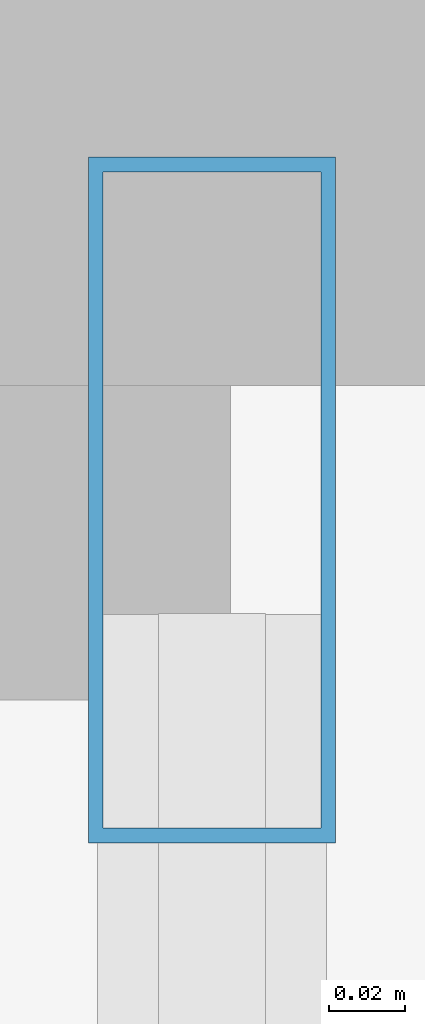
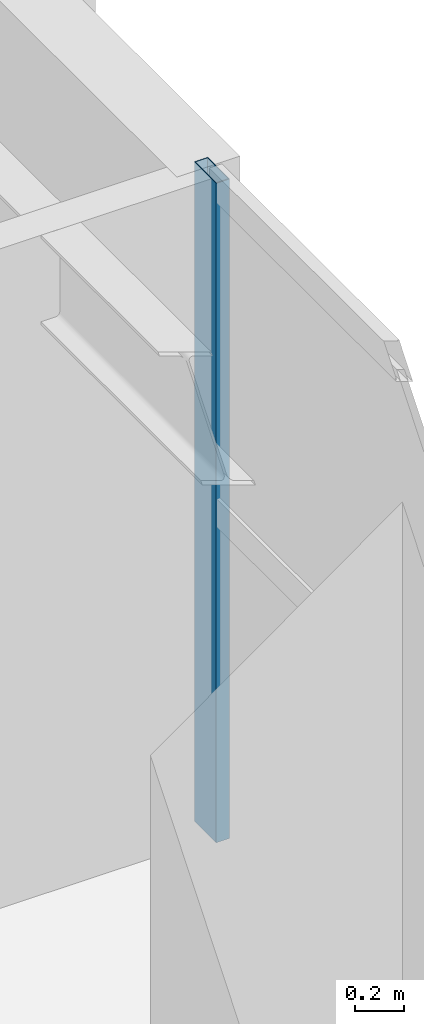
# One storey, part 13 of 23: 1 member, 1 element without a shape of its own.
"""IFC4 building model written with IfcOpenShell, lengths in metres."""

from ifc_helpers import new_model, si_unit, direction, frame, origin, origin_2d, place, context, subcontext, project, spatial, hollow_rectangle, extrude, source, transform, mapped, material, layer, layer_set, material_profile, profile_set, type_object, element, aggregate, save


model = new_model("IFC4")

# Units and contexts
model_context = context("Model", 3, precision=1e-05, world=origin(), true_north=direction((0.0, 1.0)))
body_context = subcontext(model_context, "Body", "Model", "MODEL_VIEW")
ifc_project = project(units=[si_unit("LENGTHUNIT", "METRE"), si_unit("AREAUNIT", "SQUARE_METRE"), si_unit("VOLUMEUNIT", "CUBIC_METRE"), si_unit("PLANEANGLEUNIT", "RADIAN"), si_unit("MASSUNIT", "GRAM", prefix="KILO")], contexts=[model_context])

# Site, building, storey
site_placement = place(None, origin())
site = spatial("IfcSite", under=ifc_project, at=site_placement, CompositionType="ELEMENT")
building_placement = place(site_placement, origin())
building = spatial("IfcBuilding", under=site, at=building_placement, Name="Khoralis Quay Care Tower", CompositionType="ELEMENT")
storey_placement = place(building_placement, frame((0.0, 0.0, 33.300048828125)))
storey = spatial("IfcBuildingStorey", under=building, at=storey_placement, Name="L08", CompositionType="ELEMENT", Elevation=33.300048828125)

# Curtain wall, member
ifc_material = material(Name="Pale anodised aluminium", Category="aluminium")
ifc_layer = layer(ifc_material, 0.179931640625)
ifc_layer_set = layer_set([ifc_layer], Name="Pale anodised aluminium")
curtain_wall_type = type_object("IfcCurtainWallType", Name="CW-SYS-Z1", PredefinedType="NOTDEFINED", material=ifc_layer_set)
curtain_wall_placement = place(storey_placement, origin())
curtain_wall = element("IfcCurtainWall", 1, at=curtain_wall_placement, inside=storey, type_object=curtain_wall_type, Name="L08 Unitised Curtain Wall CW-L08-P1-E5", PredefinedType="NOTDEFINED")
ifc_material_profile = material_profile(ifc_material, hollow_rectangle(XDim=0.06494140625, YDim=0.179931640625, WallThickness=0.00390625, at=origin_2d()), Name="Pale anodised aluminium")
ifc_profile_set = profile_set([ifc_material_profile], Name="Pale anodised aluminium")
member_type = type_object("IfcMemberType", Name="CW-MUL-180", PredefinedType="MULLION", material=ifc_profile_set)
shared_shape = source(origin(), body_context, "Body", "SweptSolid", [
    extrude(hollow_rectangle(XDim=0.06494140625, YDim=0.179931640625, WallThickness=0.00390625, at=origin_2d()), origin(), (0.0, 0.0, 1.0), 3.320068359375),
])
member_placement = place(storey_placement, frame((47.85009765625, 32.429931640625, 0.0), z_axis=(0.0, 0.0, 1.0), x_axis=(-1.0, 0.0, 0.0)))
member = element("IfcMember", 2, at=member_placement, type_object=member_type, Name="CW1 mullion 6", PredefinedType="MULLION", context=body_context, shape_type="MappedRepresentation", body=[
    mapped(shared_shape, transform((0.0, 0.0, 0.0), scale=1.0)),
])
aggregate(curtain_wall, [member])

save(model, "model.ifc")
